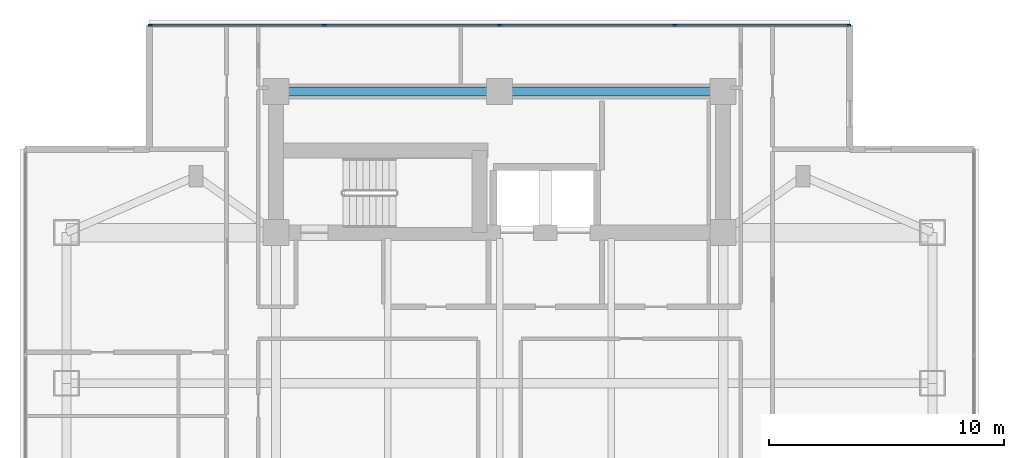
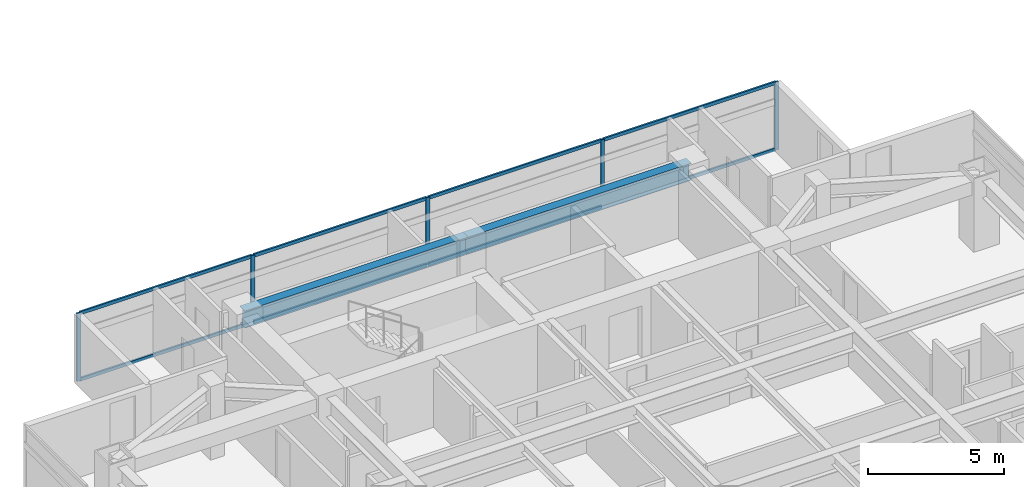
# One storey, part 8 of 26: 13 members, 2 beams, 1 element without a shape of its own.
"""IFC4 building model written with IfcOpenShell, lengths in metres."""

from ifc_helpers import new_model, si_unit, direction, frame, origin, origin_2d, place, context, subcontext, project, spatial, rectangle, i_section, extrude, material, material_profile, profile_set, type_object, element, aggregate, save


model = new_model("IFC4")

# Units and contexts
model_context = context("Model", 3, precision=1e-05, world=origin(), true_north=direction((0.0, 1.0)))
body_context = subcontext(model_context, "Body", "Model", "MODEL_VIEW")
ifc_project = project(units=[si_unit("LENGTHUNIT", "METRE"), si_unit("AREAUNIT", "SQUARE_METRE"), si_unit("VOLUMEUNIT", "CUBIC_METRE"), si_unit("PLANEANGLEUNIT", "RADIAN"), si_unit("MASSUNIT", "GRAM", prefix="KILO")], contexts=[model_context])

# Site, building, storey
site_placement = place(None, origin())
site = spatial("IfcSite", under=ifc_project, at=site_placement, CompositionType="ELEMENT")
building_placement = place(site_placement, origin())
building = spatial("IfcBuilding", under=site, at=building_placement, Name="Mirazonda Arch Towers", CompositionType="ELEMENT")
storey_placement = place(building_placement, frame((0.0, 0.0, 121.39990234375)))
storey = spatial("IfcBuildingStorey", under=building, at=storey_placement, Name="L34", CompositionType="ELEMENT", Elevation=121.39990234375)

# Beams
ifc_material_1 = material(Name="Steel ASTM A992 Grade 50", Category="steel")
ifc_material_profile_1 = material_profile(ifc_material_1, i_section(OverallWidth=0.381103515625, OverallDepth=0.77294921875, WebThickness=0.0166015625, FlangeThickness=0.027099609375, at=origin_2d()), Name="W30X173")
ifc_profile_set_1 = profile_set([ifc_material_profile_1], Name="Steel ASTM A992 Grade 50")
beam_type = type_object("IfcBeamType", Name="BM-INT-W30X173", PredefinedType="USERDEFINED", material=ifc_profile_set_1)
for number, where, z_axis, x_axis, name in (
    (1, (11.0, 43.60009765625, 2.693603515625), (1.0, 0.0, 0.0), (0.0, 1.0, 0.0), "L34 Floor Beam BM-T1-L34-CN1"),
    (2, (20.5, 43.60009765625, 2.693603515625), (1.0, 0.0, 0.0), (0.0, 1.0, 0.0), "L34 Floor Beam BM-T1-L34-CN2"),
):
    element("IfcBeam", number, at=place(storey_placement, frame(where, z_axis=z_axis, x_axis=x_axis)), inside=storey, type_object=beam_type, Name=name, ObjectType="GIRDER", PredefinedType="USERDEFINED", context=body_context, shape_type="SweptSolid", body=[
        extrude(i_section(OverallWidth=0.381103515625, OverallDepth=0.77294921875, WebThickness=0.0166015625, FlangeThickness=0.027099609375, at=origin_2d()), origin(), (0.0, 0.0, 1.0), 9.5),
    ])

# Curtain wall, members
ifc_material_2 = material(Name="Anodised Aluminium and Low-E Glass", Category="aluminium")
curtain_wall_type = type_object("IfcCurtainWallType", Name="CW-HTL-UNIT", PredefinedType="NOTDEFINED", material=ifc_material_2)
curtain_wall_placement = place(storey_placement, origin())
curtain_wall = element("IfcCurtainWall", 3, at=curtain_wall_placement, inside=storey, type_object=curtain_wall_type, Name="L34 T1 N Facade CW-L34-T1-N", PredefinedType="NOTDEFINED")
ifc_material_3 = material(Name="Anodised Aluminium Alloy", Category="aluminium")
ifc_material_profile_2 = material_profile(ifc_material_3, rectangle(XDim=0.074951171875, YDim=0.1650390625, at=origin_2d()), Name="ALU-MULL-75x165")
ifc_profile_set_2 = profile_set([ifc_material_profile_2], Name="Anodised Aluminium Alloy")
member_type_1 = type_object("IfcMemberType", Name="MULL-CW-HTL-UNIT", PredefinedType="MULLION", material=ifc_profile_set_2)
member_1_placement = place(storey_placement, frame((5.6474609375, 46.41796875, 0.0), z_axis=(0.0, 0.0, 1.0), x_axis=(0.0, 1.0, 0.0)))
member_1 = element("IfcMember", 4, at=member_1_placement, type_object=member_type_1, Name="CW-112 mullion 1", PredefinedType="MULLION", context=body_context, shape_type="SweptSolid", body=[
    extrude(rectangle(XDim=0.074951171875, YDim=0.1650390625, at=origin_2d()), origin(), (0.0, 0.0, 1.0), 3.06005859375),
])
member_2_placement = place(storey_placement, frame((13.054931640625, 46.41796875, 0.0), z_axis=(0.0, 0.0, 1.0), x_axis=(0.0, 1.0, 0.0)))
member_2 = element("IfcMember", 5, at=member_2_placement, type_object=member_type_1, Name="CW-112 mullion 2", PredefinedType="MULLION", context=body_context, shape_type="SweptSolid", body=[
    extrude(rectangle(XDim=0.074951171875, YDim=0.1650390625, at=origin_2d()), origin(), (0.0, 0.0, 1.0), 3.06005859375),
])
member_3_placement = place(storey_placement, frame((20.5, 46.41796875, 0.0), z_axis=(0.0, 0.0, 1.0), x_axis=(0.0, 1.0, 0.0)))
member_3 = element("IfcMember", 6, at=member_3_placement, type_object=member_type_1, Name="CW-112 mullion 3", PredefinedType="MULLION", context=body_context, shape_type="SweptSolid", body=[
    extrude(rectangle(XDim=0.074951171875, YDim=0.1650390625, at=origin_2d()), origin(), (0.0, 0.0, 1.0), 3.06005859375),
])
member_4_placement = place(storey_placement, frame((27.945068359375, 46.41796875, 0.0), z_axis=(0.0, 0.0, 1.0), x_axis=(0.0, 1.0, 0.0)))
member_4 = element("IfcMember", 7, at=member_4_placement, type_object=member_type_1, Name="CW-112 mullion 4", PredefinedType="MULLION", context=body_context, shape_type="SweptSolid", body=[
    extrude(rectangle(XDim=0.074951171875, YDim=0.1650390625, at=origin_2d()), origin(), (0.0, 0.0, 1.0), 3.06005859375),
])
member_5_placement = place(storey_placement, frame((35.3525390625, 46.41796875, 0.0), z_axis=(0.0, 0.0, 1.0), x_axis=(0.0, 1.0, 0.0)))
member_5 = element("IfcMember", 8, at=member_5_placement, type_object=member_type_1, Name="CW-112 mullion 5", PredefinedType="MULLION", context=body_context, shape_type="SweptSolid", body=[
    extrude(rectangle(XDim=0.074951171875, YDim=0.1650390625, at=origin_2d()), origin(), (0.0, 0.0, 1.0), 3.06005859375),
])
ifc_material_profile_3 = material_profile(ifc_material_3, rectangle(XDim=0.074951171875, YDim=0.14501953125, at=origin_2d()), Name="ALU-TRAN-75x145")
ifc_profile_set_3 = profile_set([ifc_material_profile_3], Name="Anodised Aluminium Alloy")
member_type_2 = type_object("IfcMemberType", Name="TRAN-CW-HTL-UNIT", PredefinedType="USERDEFINED", material=ifc_profile_set_3)
member_6_placement = place(storey_placement, frame((5.68505859375, 46.41796875, 0.03759765625), z_axis=(1.0, 0.0, 0.0), x_axis=(0.0, 1.0, 0.0)))
member_6 = element("IfcMember", 9, at=member_6_placement, type_object=member_type_2, Name="CW-112 transom 1.1", ObjectType="TRANSOM", PredefinedType="USERDEFINED", context=body_context, shape_type="SweptSolid", body=[
    extrude(rectangle(XDim=0.074951171875, YDim=0.14501953125, at=origin_2d()), origin(), (0.0, 0.0, 1.0), 7.33251953125),
])
member_7_placement = place(storey_placement, frame((5.68505859375, 46.41796875, 3.022705078125), z_axis=(1.0, 0.0, 0.0), x_axis=(0.0, 1.0, 0.0)))
member_7 = element("IfcMember", 10, at=member_7_placement, type_object=member_type_2, Name="CW-112 transom 1.2", ObjectType="TRANSOM", PredefinedType="USERDEFINED", context=body_context, shape_type="SweptSolid", body=[
    extrude(rectangle(XDim=0.074951171875, YDim=0.14501953125, at=origin_2d()), origin(), (0.0, 0.0, 1.0), 7.33251953125),
])
member_8_placement = place(storey_placement, frame((13.092529296875, 46.41796875, 0.03759765625), z_axis=(1.0, 0.0, 0.0), x_axis=(0.0, 1.0, 0.0)))
member_8 = element("IfcMember", 11, at=member_8_placement, type_object=member_type_2, Name="CW-112 transom 2.1", ObjectType="TRANSOM", PredefinedType="USERDEFINED", context=body_context, shape_type="SweptSolid", body=[
    extrude(rectangle(XDim=0.074951171875, YDim=0.14501953125, at=origin_2d()), origin(), (0.0, 0.0, 1.0), 7.369873046875),
])
member_9_placement = place(storey_placement, frame((13.092529296875, 46.41796875, 3.022705078125), z_axis=(1.0, 0.0, 0.0), x_axis=(0.0, 1.0, 0.0)))
member_9 = element("IfcMember", 12, at=member_9_placement, type_object=member_type_2, Name="CW-112 transom 2.2", ObjectType="TRANSOM", PredefinedType="USERDEFINED", context=body_context, shape_type="SweptSolid", body=[
    extrude(rectangle(XDim=0.074951171875, YDim=0.14501953125, at=origin_2d()), origin(), (0.0, 0.0, 1.0), 7.369873046875),
])
member_10_placement = place(storey_placement, frame((20.53759765625, 46.41796875, 0.03759765625), z_axis=(1.0, 0.0, 0.0), x_axis=(0.0, 1.0, 0.0)))
member_10 = element("IfcMember", 13, at=member_10_placement, type_object=member_type_2, Name="CW-112 transom 3.1", ObjectType="TRANSOM", PredefinedType="USERDEFINED", context=body_context, shape_type="SweptSolid", body=[
    extrude(rectangle(XDim=0.074951171875, YDim=0.14501953125, at=origin_2d()), origin(), (0.0, 0.0, 1.0), 7.369873046875),
])
member_11_placement = place(storey_placement, frame((20.53759765625, 46.41796875, 3.022705078125), z_axis=(1.0, 0.0, 0.0), x_axis=(0.0, 1.0, 0.0)))
member_11 = element("IfcMember", 14, at=member_11_placement, type_object=member_type_2, Name="CW-112 transom 3.2", ObjectType="TRANSOM", PredefinedType="USERDEFINED", context=body_context, shape_type="SweptSolid", body=[
    extrude(rectangle(XDim=0.074951171875, YDim=0.14501953125, at=origin_2d()), origin(), (0.0, 0.0, 1.0), 7.369873046875),
])
member_12_placement = place(storey_placement, frame((27.982421875, 46.41796875, 0.03759765625), z_axis=(1.0, 0.0, 0.0), x_axis=(0.0, 1.0, 0.0)))
member_12 = element("IfcMember", 15, at=member_12_placement, type_object=member_type_2, Name="CW-112 transom 4.1", ObjectType="TRANSOM", PredefinedType="USERDEFINED", context=body_context, shape_type="SweptSolid", body=[
    extrude(rectangle(XDim=0.074951171875, YDim=0.14501953125, at=origin_2d()), origin(), (0.0, 0.0, 1.0), 7.33251953125),
])
member_13_placement = place(storey_placement, frame((27.982421875, 46.41796875, 3.022705078125), z_axis=(1.0, 0.0, 0.0), x_axis=(0.0, 1.0, 0.0)))
member_13 = element("IfcMember", 16, at=member_13_placement, type_object=member_type_2, Name="CW-112 transom 4.2", ObjectType="TRANSOM", PredefinedType="USERDEFINED", context=body_context, shape_type="SweptSolid", body=[
    extrude(rectangle(XDim=0.074951171875, YDim=0.14501953125, at=origin_2d()), origin(), (0.0, 0.0, 1.0), 7.33251953125),
])
aggregate(curtain_wall, [member_1, member_2, member_3, member_4, member_5, member_6, member_7, member_8, member_9, member_10, member_11, member_12, member_13])

save(model, "model.ifc")
